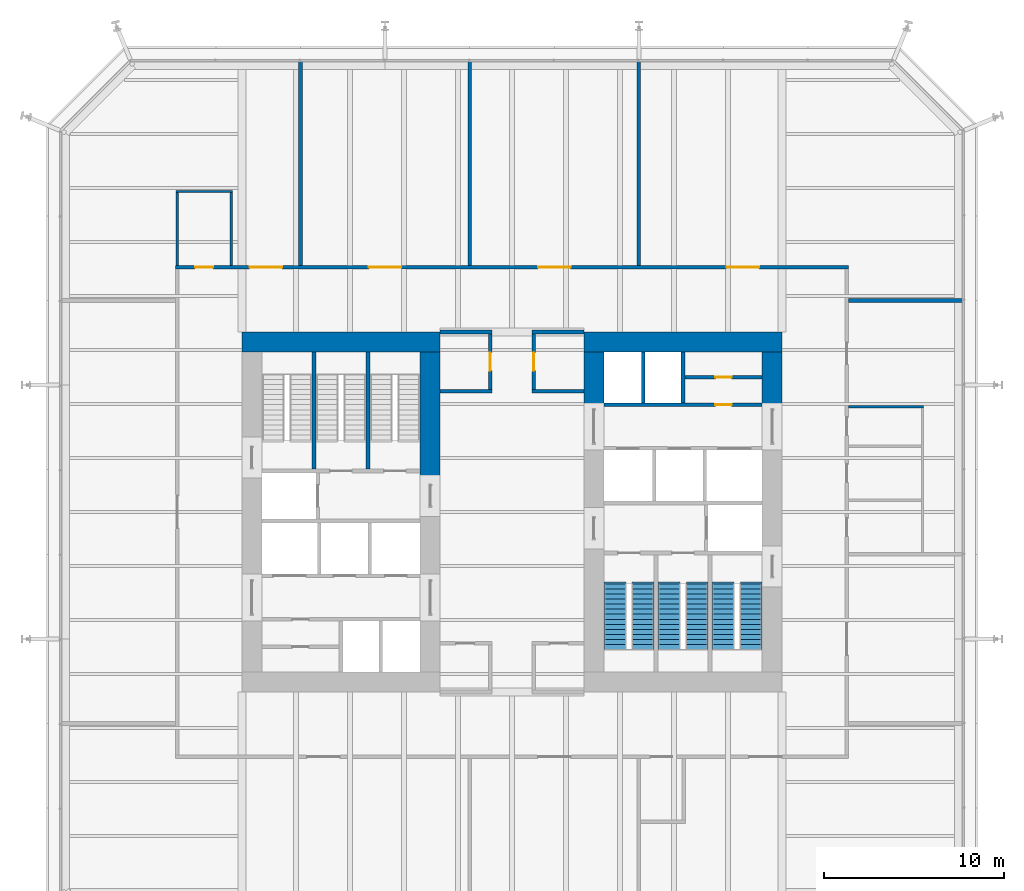
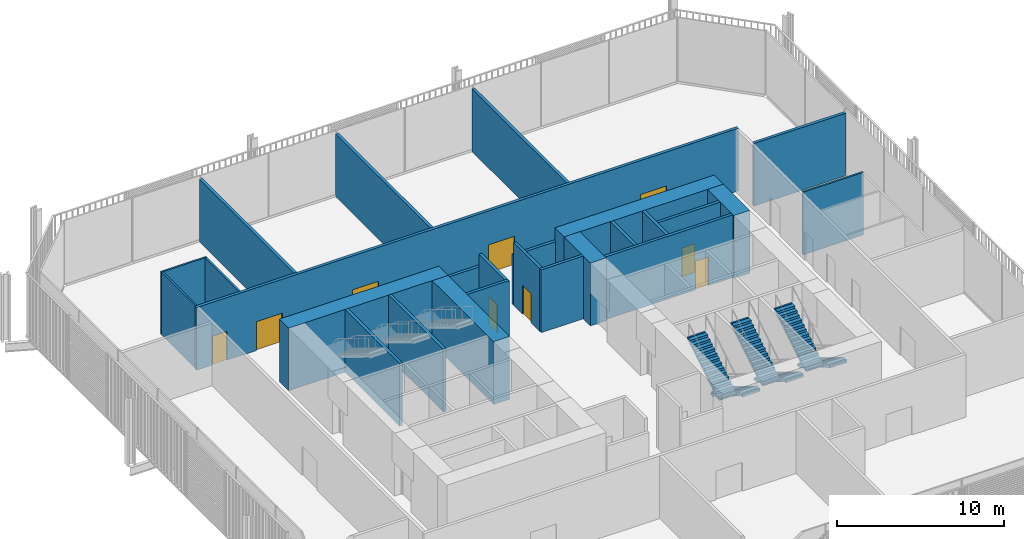
# One storey, part 20 of 22: 26 walls, 9 doors, 6 stair flights, 9 openings, 3 elements without a shape of their own.
"""IFC4 building model written with IfcOpenShell, lengths in metres."""

from ifc_helpers import new_model, si_unit, direction, frame, frame_2d, origin, place, context, subcontext, project, spatial, polyline, rectangle, outline, extrude, material, layer, layer_set, type_object, element, fill, aggregate, save


model = new_model("IFC4")

# Units and contexts
model_context = context("Model", 3, precision=1e-05, world=origin(), true_north=direction((0.0, 1.0)))
body_context = subcontext(model_context, "Body", "Model", "MODEL_VIEW")
ifc_project = project(units=[si_unit("LENGTHUNIT", "METRE"), si_unit("AREAUNIT", "SQUARE_METRE"), si_unit("VOLUMEUNIT", "CUBIC_METRE"), si_unit("PLANEANGLEUNIT", "RADIAN"), si_unit("MASSUNIT", "GRAM", prefix="KILO")], contexts=[model_context])

# Site, building, storey
site_placement = place(None, origin())
site = spatial("IfcSite", under=ifc_project, at=site_placement, CompositionType="ELEMENT")
building_placement = place(site_placement, origin())
building = spatial("IfcBuilding", under=site, at=building_placement, Name="Millrace Tower", CompositionType="ELEMENT")
storey_placement = place(building_placement, frame((0.0, 0.0, 40.10009765625)))
storey = spatial("IfcBuildingStorey", under=building, at=storey_placement, Name="L09", CompositionType="ELEMENT", Elevation=40.10009765625)

# Walls
ifc_material_1 = material(Name="Concrete C80", Category="concrete")
ifc_layer_1 = layer(ifc_material_1, 1.10009765625)
ifc_layer_set_1 = layer_set([ifc_layer_1], Name="Concrete C80")
wall_type_1 = type_object("IfcWallType", Name="Core wall 1100 Concrete C80", PredefinedType="SHEAR", material=ifc_layer_set_1)
wall_1_placement = place(storey_placement, frame((-15.0, 9.449951171875, 0.0), z_axis=(0.0, 0.0, 1.0), x_axis=(1.0, 0.0, 0.0)))
element("IfcWall", 1, at=wall_1_placement, inside=storey, type_object=wall_type_1, Name="Core wall W L09", PredefinedType="SHEAR", context=body_context, shape_type="SweptSolid", body=[
    extrude(rectangle(XDim=11.0, YDim=1.10009765625, at=frame_2d((5.5, 0.0))), origin(), (0.0, 0.0, 1.0), 4.574951171875),
])
wall_2_placement = place(storey_placement, frame((-4.550048828125, 1.550048828125, 0.0), z_axis=(0.0, 0.0, 1.0), x_axis=(0.0, 1.0, 0.0)))
element("IfcWall", 2, at=wall_2_placement, inside=storey, type_object=wall_type_1, Name="Core wall W L09", PredefinedType="SHEAR", context=body_context, shape_type="SweptSolid", body=[
    extrude(rectangle(XDim=7.349853515625, YDim=1.10009765625, at=frame_2d((3.6748046875, 0.0))), origin(), (0.0, 0.0, 1.0), 4.574951171875),
])
wall_3_placement = place(storey_placement, frame((15.0, 9.449951171875, 0.0), z_axis=(0.0, 0.0, 1.0), x_axis=(-1.0, 0.0, 0.0)))
element("IfcWall", 3, at=wall_3_placement, inside=storey, type_object=wall_type_1, Name="Core wall E L09", PredefinedType="SHEAR", context=body_context, shape_type="SweptSolid", body=[
    extrude(rectangle(XDim=11.0, YDim=1.10009765625, at=frame_2d((5.5, 0.0))), origin(), (0.0, 0.0, 1.0), 4.574951171875),
])
for number, where, z_axis, x_axis, name in (
    (4, (14.449951171875, 8.89990234375, 0.0), (0.0, 0.0, 1.0), (0.0, -1.0, 0.0), "Core wall E L09"),
    (5, (4.550048828125, 8.89990234375, 0.0), (0.0, 0.0, 1.0), (0.0, -1.0, 0.0), "Core wall E L09"),
):
    element("IfcWall", number, at=place(storey_placement, frame(where, z_axis=z_axis, x_axis=x_axis)), inside=storey, type_object=wall_type_1, Name=name, PredefinedType="SHEAR", context=body_context, shape_type="SweptSolid", body=[
        extrude(rectangle(XDim=3.14990234375, YDim=1.10009765625, at=frame_2d((1.574951171875, 0.0))), origin(), (0.0, 0.0, 1.0), 4.574951171875),
    ])
ifc_material_2 = material(Name="Masonry partition, fire-rated", Category="masonry")
ifc_layer_2 = layer(ifc_material_2, 0.199951171875)
ifc_layer_set_2 = layer_set([ifc_layer_2], Name="Masonry partition, fire-rated")
wall_type_2 = type_object("IfcWallType", Name="Corridor wall 200", PredefinedType="PARTITIONING", material=ifc_layer_set_2)
for number, where, z_axis, x_axis, name in (
    (6, (-4.0, 6.699951171875, 0.0), (0.0, 0.0, 1.0), (1.0, 0.0, 0.0), "Corridor wall L09"),
    (7, (1.10009765625, 6.699951171875, 0.0), (0.0, 0.0, 1.0), (1.0, 0.0, 0.0), "Corridor wall L09"),
):
    element("IfcWall", number, at=place(storey_placement, frame(where, z_axis=z_axis, x_axis=x_axis)), inside=storey, type_object=wall_type_2, Name=name, PredefinedType="PARTITIONING", context=body_context, shape_type="SweptSolid", body=[
        extrude(rectangle(XDim=2.89990234375, YDim=0.199951171875, at=frame_2d((1.449951171875, 0.0))), origin(), (0.0, 0.0, 1.0), 4.574951171875),
    ])
for number, where, z_axis, x_axis, name in (
    (8, (-4.0, 10.0, 0.0), (0.0, 0.0, 1.0), (1.0, 0.0, 0.0), "Corridor wall L09"),
    (9, (1.10009765625, 10.0, 0.0), (0.0, 0.0, 1.0), (1.0, 0.0, 0.0), "Corridor wall L09"),
):
    element("IfcWall", number, at=place(storey_placement, frame(where, z_axis=z_axis, x_axis=x_axis)), inside=storey, type_object=wall_type_2, Name=name, PredefinedType="PARTITIONING", context=body_context, shape_type="SweptSolid", body=[
        extrude(rectangle(XDim=2.89990234375, YDim=0.199951171875, at=frame_2d((1.449951171875, 0.0))), origin(), (0.0, 0.0, 1.0), 3.62744140625),
    ])
wall_4_placement = place(storey_placement, frame((18.699951171875, 11.75, 0.0), z_axis=(0.0, 0.0, 1.0), x_axis=(1.0, 0.0, 0.0)))
element("IfcWall", 10, at=wall_4_placement, inside=storey, type_object=wall_type_2, Name="Corridor wall L09", PredefinedType="PARTITIONING", context=body_context, shape_type="SweptSolid", body=[
    extrude(rectangle(XDim=6.330078125, YDim=0.199951171875, at=frame_2d((3.1650390625, 0.0))), origin(), (0.0, 0.0, 1.0), 4.574951171875),
])

# Wall, openings, doors
wall_5_placement = place(storey_placement, frame((-18.699951171875, 13.60009765625, 0.0), z_axis=(0.0, 0.0, 1.0), x_axis=(1.0, 0.0, 0.0)))
wall_5 = element("IfcWall", 11, at=wall_5_placement, inside=storey, type_object=wall_type_2, Name="Corridor wall L09", PredefinedType="PARTITIONING", context=body_context, shape_type="SweptSolid", body=[
    extrude(rectangle(XDim=37.39990234375, YDim=0.199951171875, at=frame_2d((18.699951171875, 0.0))), origin(), (0.0, 0.0, 1.0), 4.574951171875),
])
opening_1_placement = place(wall_5_placement, frame((4.125, 0.0, 0.0)))
opening_1 = element("IfcOpeningElement", 12, at=opening_1_placement, cuts=wall_5, Name="Opening 09-P009", PredefinedType="OPENING", context=body_context, shape_type="SweptSolid", body=[
    extrude(rectangle(XDim=1.800048828125, YDim=2.10009765625, at=frame_2d((0.89990234375, 1.050048828125))), frame((0.0, 0.10986328125, 0.0), z_axis=(0.0, -1.0, 0.0), x_axis=(1.0, 0.0, 0.0)), (0.0, 0.0, 1.0), 0.219970703125),
])
opening_2_placement = place(wall_5_placement, frame((1.10009765625, 0.0, 0.0)))
opening_2 = element("IfcOpeningElement", 13, at=opening_2_placement, cuts=wall_5, Name="Opening 09-P010", PredefinedType="OPENING", context=body_context, shape_type="SweptSolid", body=[
    extrude(rectangle(XDim=1.0, YDim=2.10009765625, at=frame_2d((0.5, 1.050048828125))), frame((0.0, 0.10986328125, 0.0), z_axis=(0.0, -1.0, 0.0), x_axis=(1.0, 0.0, 0.0)), (0.0, 0.0, 1.0), 0.219970703125),
])
opening_3_placement = place(wall_5_placement, frame((10.75, 0.0, 0.0)))
opening_3 = element("IfcOpeningElement", 14, at=opening_3_placement, cuts=wall_5, Name="Opening 09-P011", PredefinedType="OPENING", context=body_context, shape_type="SweptSolid", body=[
    extrude(rectangle(XDim=1.800048828125, YDim=2.10009765625, at=frame_2d((0.89990234375, 1.050048828125))), frame((0.0, 0.10986328125, 0.0), z_axis=(0.0, -1.0, 0.0), x_axis=(1.0, 0.0, 0.0)), (0.0, 0.0, 1.0), 0.219970703125),
])
opening_4_placement = place(wall_5_placement, frame((20.14990234375, 0.0, 0.0)))
opening_4 = element("IfcOpeningElement", 15, at=opening_4_placement, cuts=wall_5, Name="Opening 09-P012", PredefinedType="OPENING", context=body_context, shape_type="SweptSolid", body=[
    extrude(rectangle(XDim=1.800048828125, YDim=2.10009765625, at=frame_2d((0.89990234375, 1.050048828125))), frame((0.0, 0.10986328125, 0.0), z_axis=(0.0, -1.0, 0.0), x_axis=(1.0, 0.0, 0.0)), (0.0, 0.0, 1.0), 0.219970703125),
])
opening_5_placement = place(wall_5_placement, frame((30.625, 0.0, 0.0)))
opening_5 = element("IfcOpeningElement", 16, at=opening_5_placement, cuts=wall_5, Name="Opening 09-P013", PredefinedType="OPENING", context=body_context, shape_type="SweptSolid", body=[
    extrude(rectangle(XDim=1.800048828125, YDim=2.10009765625, at=frame_2d((0.89990234375, 1.050048828125))), frame((0.0, 0.10986328125, 0.0), z_axis=(0.0, -1.0, 0.0), x_axis=(1.0, 0.0, 0.0)), (0.0, 0.0, 1.0), 0.219970703125),
])
ifc_material_3 = material(Name="Steel door set, fire-rated", Category="steel")
door_type_1 = type_object("IfcDoorType", Name="Corridor door 1000 x 2100", OperationType="SINGLE_SWING_LEFT", PredefinedType="DOOR", material=ifc_material_3)
door_1_placement = place(opening_2_placement, origin())
door_1 = element("IfcDoor", 17, at=door_1_placement, inside=storey, type_object=door_type_1, Name="Door 09-P010", OperationType="SINGLE_SWING_LEFT", OverallHeight=2.10009765625, OverallWidth=1.0, PredefinedType="DOOR", context=body_context, shape_type="SweptSolid", body=[
    extrude(rectangle(XDim=1.0, YDim=2.10009765625, at=frame_2d((0.5, 1.050048828125))), frame((0.0, 0.02490234375, 0.0), z_axis=(0.0, -1.0, 0.0), x_axis=(1.0, 0.0, 0.0)), (0.0, 0.0, 1.0), 0.050048828125),
])
fill(opening_2, door_1)
ifc_material_4 = material(Name="Steel door set, fire-rated", Category="steel")
door_type_2 = type_object("IfcDoorType", Name="Corridor door 1800 x 2100", OperationType="DOUBLE_DOOR_SINGLE_SWING", PredefinedType="DOOR", material=ifc_material_4)
door_2_placement = place(opening_1_placement, origin())
door_2 = element("IfcDoor", 18, at=door_2_placement, inside=storey, type_object=door_type_2, Name="Door 09-P009", OperationType="DOUBLE_DOOR_SINGLE_SWING", OverallHeight=2.10009765625, OverallWidth=1.800048828125, PredefinedType="DOOR", context=body_context, shape_type="SweptSolid", body=[
    extrude(rectangle(XDim=1.800048828125, YDim=2.10009765625, at=frame_2d((0.89990234375, 1.050048828125))), frame((0.0, 0.02490234375, 0.0), z_axis=(0.0, -1.0, 0.0), x_axis=(1.0, 0.0, 0.0)), (0.0, 0.0, 1.0), 0.050048828125),
])
fill(opening_1, door_2)
ifc_material_5 = material(Name="Steel door set, fire-rated", Category="steel")
door_type_3 = type_object("IfcDoorType", Name="Data hall door 1800 x 2100", OperationType="DOUBLE_DOOR_SINGLE_SWING", PredefinedType="DOOR", material=ifc_material_5)
door_3_placement = place(opening_3_placement, origin())
door_3 = element("IfcDoor", 19, at=door_3_placement, inside=storey, type_object=door_type_3, Name="Door 09-P011", OperationType="DOUBLE_DOOR_SINGLE_SWING", OverallHeight=2.10009765625, OverallWidth=1.800048828125, PredefinedType="DOOR", context=body_context, shape_type="SweptSolid", body=[
    extrude(rectangle(XDim=1.800048828125, YDim=2.10009765625, at=frame_2d((0.89990234375, 1.050048828125))), frame((0.0, 0.02490234375, 0.0), z_axis=(0.0, -1.0, 0.0), x_axis=(1.0, 0.0, 0.0)), (0.0, 0.0, 1.0), 0.050048828125),
])
fill(opening_3, door_3)
door_4_placement = place(opening_4_placement, origin())
door_4 = element("IfcDoor", 20, at=door_4_placement, inside=storey, type_object=door_type_3, Name="Door 09-P012", OperationType="DOUBLE_DOOR_SINGLE_SWING", OverallHeight=2.10009765625, OverallWidth=1.800048828125, PredefinedType="DOOR", context=body_context, shape_type="SweptSolid", body=[
    extrude(rectangle(XDim=1.800048828125, YDim=2.10009765625, at=frame_2d((0.89990234375, 1.050048828125))), frame((0.0, 0.02490234375, 0.0), z_axis=(0.0, -1.0, 0.0), x_axis=(1.0, 0.0, 0.0)), (0.0, 0.0, 1.0), 0.050048828125),
])
fill(opening_4, door_4)
door_5_placement = place(opening_5_placement, origin())
door_5 = element("IfcDoor", 21, at=door_5_placement, inside=storey, type_object=door_type_3, Name="Door 09-P013", OperationType="DOUBLE_DOOR_SINGLE_SWING", OverallHeight=2.10009765625, OverallWidth=1.800048828125, PredefinedType="DOOR", context=body_context, shape_type="SweptSolid", body=[
    extrude(rectangle(XDim=1.800048828125, YDim=2.10009765625, at=frame_2d((0.89990234375, 1.050048828125))), frame((0.0, 0.02490234375, 0.0), z_axis=(0.0, -1.0, 0.0), x_axis=(1.0, 0.0, 0.0)), (0.0, 0.0, 1.0), 0.050048828125),
])
fill(opening_5, door_5)

# Wall
wall_6_placement = place(storey_placement, frame((7.050048828125, 13.699951171875, 0.0), z_axis=(0.0, 0.0, 1.0), x_axis=(0.0, 1.0, 0.0)))
element("IfcWall", 22, at=wall_6_placement, inside=storey, type_object=wall_type_2, Name="Corridor wall L09", PredefinedType="PARTITIONING", context=body_context, shape_type="SweptSolid", body=[
    extrude(rectangle(XDim=11.330078125, YDim=0.199951171875, at=frame_2d((5.6650390625, 0.0))), origin(), (0.0, 0.0, 1.0), 4.574951171875),
])

# Wall, opening, door
wall_7_placement = place(storey_placement, frame((1.199951171875, 6.800048828125, 0.0), z_axis=(0.0, 0.0, 1.0), x_axis=(0.0, 1.0, 0.0)))
wall_7 = element("IfcWall", 23, at=wall_7_placement, inside=storey, type_object=wall_type_2, Name="Corridor wall L09", PredefinedType="PARTITIONING", context=body_context, shape_type="SweptSolid", body=[
    extrude(rectangle(XDim=3.099853515625, YDim=0.199951171875, at=frame_2d((1.5498046875, 0.0))), origin(), (0.0, 0.0, 1.0), 4.574951171875),
])
opening_6_placement = place(wall_7_placement, frame((1.050048828125, 0.0, 0.0)))
opening_6 = element("IfcOpeningElement", 24, at=opening_6_placement, cuts=wall_7, Name="Opening 09-P002", PredefinedType="OPENING", context=body_context, shape_type="SweptSolid", body=[
    extrude(rectangle(XDim=1.0, YDim=2.10009765625, at=frame_2d((0.5, 1.050048828125))), frame((0.0, 0.10986328125, 0.0), z_axis=(0.0, -1.0, 0.0), x_axis=(1.0, 0.0, 0.0)), (0.0, 0.0, 1.0), 0.219970703125),
])
door_6_placement = place(opening_6_placement, frame((1.0, 0.0, 0.0), z_axis=(0.0, 0.0, 1.0), x_axis=(-1.0, 0.0, 0.0)))
door_6 = element("IfcDoor", 25, at=door_6_placement, inside=storey, type_object=door_type_1, Name="Door 09-P002", OperationType="SINGLE_SWING_LEFT", OverallHeight=2.10009765625, OverallWidth=1.0, PredefinedType="DOOR", context=body_context, shape_type="SweptSolid", body=[
    extrude(rectangle(XDim=1.0, YDim=2.10009765625, at=frame_2d((0.5, 1.050048828125))), frame((0.0, 0.02490234375, 0.0), z_axis=(0.0, -1.0, 0.0), x_axis=(1.0, 0.0, 0.0)), (0.0, 0.0, 1.0), 0.050048828125),
])
fill(opening_6, door_6)

wall_8_placement = place(storey_placement, frame((-1.199951171875, 6.800048828125, 0.0), z_axis=(0.0, 0.0, 1.0), x_axis=(0.0, 1.0, 0.0)))
wall_8 = element("IfcWall", 26, at=wall_8_placement, inside=storey, type_object=wall_type_2, Name="Corridor wall L09", PredefinedType="PARTITIONING", context=body_context, shape_type="SweptSolid", body=[
    extrude(rectangle(XDim=3.099853515625, YDim=0.199951171875, at=frame_2d((1.5498046875, 0.0))), origin(), (0.0, 0.0, 1.0), 4.574951171875),
])
opening_7_placement = place(wall_8_placement, frame((1.050048828125, 0.0, 0.0)))
opening_7 = element("IfcOpeningElement", 27, at=opening_7_placement, cuts=wall_8, Name="Opening 09-P001", PredefinedType="OPENING", context=body_context, shape_type="SweptSolid", body=[
    extrude(rectangle(XDim=1.0, YDim=2.10009765625, at=frame_2d((0.5, 1.050048828125))), frame((0.0, 0.10986328125, 0.0), z_axis=(0.0, -1.0, 0.0), x_axis=(1.0, 0.0, 0.0)), (0.0, 0.0, 1.0), 0.219970703125),
])
door_7_placement = place(opening_7_placement, origin())
door_7 = element("IfcDoor", 28, at=door_7_placement, inside=storey, type_object=door_type_1, Name="Door 09-P001", OperationType="SINGLE_SWING_RIGHT", OverallHeight=2.10009765625, OverallWidth=1.0, PredefinedType="DOOR", context=body_context, shape_type="SweptSolid", body=[
    extrude(rectangle(XDim=1.0, YDim=2.10009765625, at=frame_2d((0.5, 1.050048828125))), frame((0.0, 0.02490234375, 0.0), z_axis=(0.0, -1.0, 0.0), x_axis=(1.0, 0.0, 0.0)), (0.0, 0.0, 1.0), 0.050048828125),
])
fill(opening_7, door_7)

# Walls
for number, where, z_axis, x_axis, name in (
    (29, (-2.35009765625, 13.699951171875, 0.0), (0.0, 0.0, 1.0), (0.0, 1.0, 0.0), "Corridor wall L09"),
    (30, (-11.75, 13.699951171875, 0.0), (0.0, 0.0, 1.0), (0.0, 1.0, 0.0), "Corridor wall L09"),
):
    element("IfcWall", number, at=place(storey_placement, frame(where, z_axis=z_axis, x_axis=x_axis)), inside=storey, type_object=wall_type_2, Name=name, PredefinedType="PARTITIONING", context=body_context, shape_type="SweptSolid", body=[
        extrude(rectangle(XDim=11.330078125, YDim=0.199951171875, at=frame_2d((5.6650390625, 0.0))), origin(), (0.0, 0.0, 1.0), 4.574951171875),
    ])

# Wall, opening, door
ifc_material_6 = material(Name="Masonry partition, fire-rated", Category="masonry")
ifc_layer_3 = layer(ifc_material_6, 0.199951171875)
ifc_layer_set_3 = layer_set([ifc_layer_3], Name="Masonry partition, fire-rated")
wall_type_3 = type_object("IfcWallType", Name="Lift shaft wall 200", PredefinedType="PARTITIONING", material=ifc_layer_set_3)
wall_9_placement = place(storey_placement, frame((13.89990234375, 5.949951171875, 0.0), z_axis=(0.0, 0.0, 1.0), x_axis=(-1.0, 0.0, 0.0)))
wall_9 = element("IfcWall", 31, at=wall_9_placement, inside=storey, type_object=wall_type_3, Name="Lift shaft wall E L09", PredefinedType="PARTITIONING", context=body_context, shape_type="SweptSolid", body=[
    extrude(rectangle(XDim=8.7998046875, YDim=0.199951171875, at=frame_2d((4.39990234375, 0.0))), origin(), (0.0, 0.0, 1.0), 4.574951171875),
])
opening_8_placement = place(wall_9_placement, frame((1.699951171875, 0.0, 0.0)))
opening_8 = element("IfcOpeningElement", 32, at=opening_8_placement, cuts=wall_9, Name="Opening 09-C013", PredefinedType="OPENING", context=body_context, shape_type="SweptSolid", body=[
    extrude(rectangle(XDim=0.89990234375, YDim=2.10009765625, at=frame_2d((0.449951171875, 1.050048828125))), frame((0.0, 0.10986328125, 0.0), z_axis=(0.0, -1.0, 0.0), x_axis=(1.0, 0.0, 0.0)), (0.0, 0.0, 1.0), 0.219970703125),
])
ifc_material_7 = material(Name="Steel door, fire-rated", Category="steel")
door_type_4 = type_object("IfcDoorType", Name="Service room door 900 x 2100", OperationType="SINGLE_SWING_LEFT", PredefinedType="DOOR", material=ifc_material_7)
door_8_placement = place(opening_8_placement, origin())
door_8 = element("IfcDoor", 33, at=door_8_placement, inside=storey, type_object=door_type_4, Name="Service room door 09-C013", OperationType="SINGLE_SWING_LEFT", OverallHeight=2.10009765625, OverallWidth=0.89990234375, PredefinedType="DOOR", context=body_context, shape_type="SweptSolid", body=[
    extrude(rectangle(XDim=0.89990234375, YDim=2.10009765625, at=frame_2d((0.449951171875, 1.050048828125))), frame((0.0, 0.02490234375, 0.0), z_axis=(0.0, -1.0, 0.0), x_axis=(1.0, 0.0, 0.0)), (0.0, 0.0, 1.0), 0.050048828125),
])
fill(opening_8, door_8)

# Walls
for number, where, z_axis, x_axis, name in (
    (34, (9.5, 8.89990234375, 0.0), (0.0, 0.0, 1.0), (0.0, -1.0, 0.0), "Lift shaft wall E L09"),
    (35, (7.300048828125, 8.89990234375, 0.0), (0.0, 0.0, 1.0), (0.0, -1.0, 0.0), "Lift shaft wall E L09"),
):
    element("IfcWall", number, at=place(storey_placement, frame(where, z_axis=z_axis, x_axis=x_axis)), inside=storey, type_object=wall_type_3, Name=name, PredefinedType="PARTITIONING", context=body_context, shape_type="SweptSolid", body=[
        extrude(rectangle(XDim=2.849853515625, YDim=0.199951171875, at=frame_2d((1.4248046875, 0.0))), origin(), (0.0, 0.0, 1.0), 4.574951171875),
    ])
ifc_material_8 = material(Name="Gypsum board partition")
ifc_layer_4 = layer(ifc_material_8, 0.1201171875)
ifc_layer_set_4 = layer_set([ifc_layer_4], Name="Gypsum board partition")
wall_type_4 = type_object("IfcWallType", Name="Partition wall 120", PredefinedType="PARTITIONING", material=ifc_layer_set_4)
wall_10_placement = place(storey_placement, frame((18.699951171875, 5.85009765625, 0.0), z_axis=(0.0, 0.0, 1.0), x_axis=(1.0, 0.0, 0.0)))
element("IfcWall", 36, at=wall_10_placement, inside=storey, type_object=wall_type_4, Name="Partition wall L09", PredefinedType="PARTITIONING", context=body_context, shape_type="SweptSolid", body=[
    extrude(rectangle(XDim=4.16015625, YDim=0.1201171875, at=frame_2d((2.080078125, 0.0))), origin(), (0.0, 0.0, 1.0), 4.574951171875),
])
wall_11_placement = place(storey_placement, frame((-18.659912109375, 17.800048828125, 0.0), z_axis=(0.0, 0.0, 1.0), x_axis=(1.0, 0.0, 0.0)))
element("IfcWall", 37, at=wall_11_placement, inside=storey, type_object=wall_type_4, Name="Partition wall L09", PredefinedType="PARTITIONING", context=body_context, shape_type="SweptSolid", body=[
    extrude(rectangle(XDim=3.119873046875, YDim=0.1201171875, at=frame_2d((1.56005859375, 0.0))), origin(), (0.0, 0.0, 1.0), 4.574951171875),
])
for number, where, z_axis, x_axis, name in (
    (38, (-15.60009765625, 13.699951171875, 0.0), (0.0, 0.0, 1.0), (0.0, 1.0, 0.0), "Partition wall L09"),
    (39, (-18.60009765625, 13.699951171875, 0.0), (0.0, 0.0, 1.0), (0.0, 1.0, 0.0), "Partition wall L09"),
):
    element("IfcWall", number, at=place(storey_placement, frame(where, z_axis=z_axis, x_axis=x_axis)), inside=storey, type_object=wall_type_4, Name=name, PredefinedType="PARTITIONING", context=body_context, shape_type="SweptSolid", body=[
        extrude(rectangle(XDim=4.0400390625, YDim=0.1201171875, at=frame_2d((2.02001953125, 0.0))), origin(), (0.0, 0.0, 1.0), 4.574951171875),
    ])

# Wall, opening, door
ifc_material_9 = material(Name="Masonry partition, fire-rated", Category="masonry")
ifc_layer_5 = layer(ifc_material_9, 0.199951171875)
ifc_layer_set_5 = layer_set([ifc_layer_5], Name="Masonry partition, fire-rated")
wall_type_5 = type_object("IfcWallType", Name="Room partition 200", PredefinedType="PARTITIONING", material=ifc_layer_set_5)
wall_12_placement = place(storey_placement, frame((13.89990234375, 7.47509765625, 0.0), z_axis=(0.0, 0.0, 1.0), x_axis=(-1.0, 0.0, 0.0)))
wall_12 = element("IfcWall", 40, at=wall_12_placement, inside=storey, type_object=wall_type_5, Name="Room partition E L09", PredefinedType="PARTITIONING", context=body_context, shape_type="SweptSolid", body=[
    extrude(rectangle(XDim=4.2998046875, YDim=0.199951171875, at=frame_2d((2.14990234375, 0.0))), origin(), (0.0, 0.0, 1.0), 4.574951171875),
])
opening_9_placement = place(wall_12_placement, frame((1.699951171875, 0.0, 0.0)))
opening_9 = element("IfcOpeningElement", 41, at=opening_9_placement, cuts=wall_12, Name="Opening 09-C014", PredefinedType="OPENING", context=body_context, shape_type="SweptSolid", body=[
    extrude(rectangle(XDim=0.89990234375, YDim=2.10009765625, at=frame_2d((0.449951171875, 1.050048828125))), frame((0.0, 0.10986328125, 0.0), z_axis=(0.0, -1.0, 0.0), x_axis=(1.0, 0.0, 0.0)), (0.0, 0.0, 1.0), 0.219970703125),
])
door_9_placement = place(opening_9_placement, frame((0.89990234375, 0.0, 0.0), z_axis=(0.0, 0.0, 1.0), x_axis=(-1.0, 0.0, 0.0)))
door_9 = element("IfcDoor", 42, at=door_9_placement, inside=storey, type_object=door_type_4, Name="Service room door 09-C014", OperationType="SINGLE_SWING_RIGHT", OverallHeight=2.10009765625, OverallWidth=0.89990234375, PredefinedType="DOOR", context=body_context, shape_type="SweptSolid", body=[
    extrude(rectangle(XDim=0.89990234375, YDim=2.10009765625, at=frame_2d((0.449951171875, 1.050048828125))), frame((0.0, 0.02490234375, 0.0), z_axis=(0.0, -1.0, 0.0), x_axis=(1.0, 0.0, 0.0)), (0.0, 0.0, 1.0), 0.050048828125),
])
fill(opening_9, door_9)

# Walls
ifc_material_10 = material(Name="Concrete C40", Category="concrete")
ifc_layer_6 = layer(ifc_material_10, 0.199951171875)
ifc_layer_set_6 = layer_set([ifc_layer_6], Name="Concrete C40")
wall_type_6 = type_object("IfcWallType", Name="Stair enclosure wall 200 Concrete C40", PredefinedType="SHEAR", material=ifc_layer_set_6)
for number, where, z_axis, x_axis, name in (
    (43, (-11.0, 2.3798828125, 0.0), (0.0, 0.0, 1.0), (0.0, 1.0, 0.0), "Stair enclosure wall W L09"),
    (44, (-8.0, 2.3798828125, 0.0), (0.0, 0.0, 1.0), (0.0, 1.0, 0.0), "Stair enclosure wall W L09"),
):
    element("IfcWall", number, at=place(storey_placement, frame(where, z_axis=z_axis, x_axis=x_axis)), inside=storey, type_object=wall_type_6, Name=name, PredefinedType="SHEAR", context=body_context, shape_type="SweptSolid", body=[
        extrude(rectangle(XDim=6.52001953125, YDim=0.199951171875, at=frame_2d((3.260009765625, 0.0))), origin(), (0.0, 0.0, 1.0), 4.574951171875),
    ])

# Stair, stair flights
ifc_material_11 = material(Name="Concrete C35", Category="concrete")
stair_type = type_object("IfcStairType", Name="Exit stair", PredefinedType="HALF_TURN_STAIR", material=ifc_material_11)
placement = place(storey_placement, origin())
stair_1 = element("IfcStair", 45, at=placement, inside=storey, type_object=stair_type, Name="Stair 1 E L09", PredefinedType="HALF_TURN_STAIR")
ifc_material_12 = material(Name="Concrete C35", Category="concrete")
stair_flight_type = type_object("IfcStairFlightType", Name="Exit stair flight", PredefinedType="STRAIGHT", material=ifc_material_12)
stair_flight_1_placement = place(storey_placement, frame((13.2900390625, -4.0, 0.0), z_axis=(0.0, 0.0, 1.0), x_axis=(0.0, -1.0, 0.0)))
stair_flight_1 = element("IfcStairFlight", 46, at=stair_flight_1_placement, type_object=stair_flight_type, Name="ST12 flight 1", NumberOfRisers=14, NumberOfTreads=13, PredefinedType="STRAIGHT", RiserHeight=0.171428571, TreadLength=0.28, context=body_context, shape_type="SweptSolid", body=[
    extrude(outline(polyline([(-0.1201171875, -0.0400390625), (-0.1201171875, 0.0), (0.0, 0.0), (0.0, 0.17138671875), (0.280029296875, 0.17138671875), (0.280029296875, 0.3427734375), (0.56005859375, 0.3427734375), (0.56005859375, 0.514404296875), (0.840087890625, 0.514404296875), (0.840087890625, 0.685791015625), (1.1201171875, 0.685791015625), (1.1201171875, 0.857177734375), (1.39990234375, 0.857177734375), (1.39990234375, 1.028564453125), (1.679931640625, 1.028564453125), (1.679931640625, 1.199951171875), (1.9599609375, 1.199951171875), (1.9599609375, 1.371337890625), (2.239990234375, 1.371337890625), (2.239990234375, 1.54296875), (2.52001953125, 1.54296875), (2.52001953125, 1.71435546875), (2.800048828125, 1.71435546875), (2.800048828125, 1.8857421875), (3.080078125, 1.8857421875), (3.080078125, 2.05712890625), (3.360107421875, 2.05712890625), (3.360107421875, 2.228515625), (3.639892578125, 2.228515625), (3.639892578125, 2.24853515625), (3.760009765625, 2.24853515625), (3.760009765625, 2.052734375), (3.639892578125, 2.052734375), (0.287109375, 0.0), (0.287109375, -0.0400390625), (-0.1201171875, -0.0400390625)])), frame((0.0, 0.60986328125, 0.0), z_axis=(0.0, -1.0, 0.0), x_axis=(1.0, 0.0, 0.0)), (0.0, 0.0, 1.0), 1.219970703125),
])
stair_flight_2_placement = place(storey_placement, frame((11.7099609375, -7.639892578125, 2.39990234375), z_axis=(0.0, 0.0, 1.0), x_axis=(0.0, 1.0, 0.0)))
stair_flight_2 = element("IfcStairFlight", 47, at=stair_flight_2_placement, type_object=stair_flight_type, Name="ST12 flight 2", NumberOfRisers=14, NumberOfTreads=13, PredefinedType="STRAIGHT", RiserHeight=0.171428571, TreadLength=0.28, context=body_context, shape_type="SweptSolid", body=[
    extrude(outline(polyline([(-0.1201171875, -0.0400390625), (-0.1201171875, 0.0), (0.0, 0.0), (0.0, 0.17138671875), (0.280029296875, 0.17138671875), (0.280029296875, 0.3427734375), (0.56005859375, 0.3427734375), (0.56005859375, 0.514404296875), (0.840087890625, 0.514404296875), (0.840087890625, 0.685791015625), (1.1201171875, 0.685791015625), (1.1201171875, 0.857177734375), (1.39990234375, 0.857177734375), (1.39990234375, 1.028564453125), (1.679931640625, 1.028564453125), (1.679931640625, 1.199951171875), (1.9599609375, 1.199951171875), (1.9599609375, 1.371337890625), (2.239990234375, 1.371337890625), (2.239990234375, 1.54296875), (2.52001953125, 1.54296875), (2.52001953125, 1.71435546875), (2.800048828125, 1.71435546875), (2.800048828125, 1.8857421875), (3.080078125, 1.8857421875), (3.080078125, 2.05712890625), (3.360107421875, 2.05712890625), (3.360107421875, 2.228515625), (3.639892578125, 2.228515625), (3.639892578125, 2.24853515625), (3.760009765625, 2.24853515625), (3.760009765625, 2.052734375), (3.639892578125, 2.052734375), (0.287109375, 0.0), (0.287109375, -0.0400390625), (-0.1201171875, -0.0400390625)])), frame((0.0, 0.60986328125, 0.0), z_axis=(0.0, -1.0, 0.0), x_axis=(1.0, 0.0, 0.0)), (0.0, 0.0, 1.0), 1.219970703125),
])
aggregate(stair_1, [stair_flight_1, stair_flight_2])

stair_2 = element("IfcStair", 48, at=placement, inside=storey, type_object=stair_type, Name="Stair 2 E L09", PredefinedType="HALF_TURN_STAIR")
stair_flight_3_placement = place(storey_placement, frame((10.2900390625, -4.0, 0.0), z_axis=(0.0, 0.0, 1.0), x_axis=(0.0, -1.0, 0.0)))
stair_flight_3 = element("IfcStairFlight", 49, at=stair_flight_3_placement, type_object=stair_flight_type, Name="ST12 flight 1", NumberOfRisers=14, NumberOfTreads=13, PredefinedType="STRAIGHT", RiserHeight=0.171428571, TreadLength=0.28, context=body_context, shape_type="SweptSolid", body=[
    extrude(outline(polyline([(-0.1201171875, -0.0400390625), (-0.1201171875, 0.0), (0.0, 0.0), (0.0, 0.17138671875), (0.280029296875, 0.17138671875), (0.280029296875, 0.3427734375), (0.56005859375, 0.3427734375), (0.56005859375, 0.514404296875), (0.840087890625, 0.514404296875), (0.840087890625, 0.685791015625), (1.1201171875, 0.685791015625), (1.1201171875, 0.857177734375), (1.39990234375, 0.857177734375), (1.39990234375, 1.028564453125), (1.679931640625, 1.028564453125), (1.679931640625, 1.199951171875), (1.9599609375, 1.199951171875), (1.9599609375, 1.371337890625), (2.239990234375, 1.371337890625), (2.239990234375, 1.54296875), (2.52001953125, 1.54296875), (2.52001953125, 1.71435546875), (2.800048828125, 1.71435546875), (2.800048828125, 1.8857421875), (3.080078125, 1.8857421875), (3.080078125, 2.05712890625), (3.360107421875, 2.05712890625), (3.360107421875, 2.228515625), (3.639892578125, 2.228515625), (3.639892578125, 2.24853515625), (3.760009765625, 2.24853515625), (3.760009765625, 2.052734375), (3.639892578125, 2.052734375), (0.287109375, 0.0), (0.287109375, -0.0400390625), (-0.1201171875, -0.0400390625)])), frame((0.0, 0.60986328125, 0.0), z_axis=(0.0, -1.0, 0.0), x_axis=(1.0, 0.0, 0.0)), (0.0, 0.0, 1.0), 1.219970703125),
])
stair_flight_4_placement = place(storey_placement, frame((8.7099609375, -7.639892578125, 2.39990234375), z_axis=(0.0, 0.0, 1.0), x_axis=(0.0, 1.0, 0.0)))
stair_flight_4 = element("IfcStairFlight", 50, at=stair_flight_4_placement, type_object=stair_flight_type, Name="ST12 flight 2", NumberOfRisers=14, NumberOfTreads=13, PredefinedType="STRAIGHT", RiserHeight=0.171428571, TreadLength=0.28, context=body_context, shape_type="SweptSolid", body=[
    extrude(outline(polyline([(-0.1201171875, -0.0400390625), (-0.1201171875, 0.0), (0.0, 0.0), (0.0, 0.17138671875), (0.280029296875, 0.17138671875), (0.280029296875, 0.3427734375), (0.56005859375, 0.3427734375), (0.56005859375, 0.514404296875), (0.840087890625, 0.514404296875), (0.840087890625, 0.685791015625), (1.1201171875, 0.685791015625), (1.1201171875, 0.857177734375), (1.39990234375, 0.857177734375), (1.39990234375, 1.028564453125), (1.679931640625, 1.028564453125), (1.679931640625, 1.199951171875), (1.9599609375, 1.199951171875), (1.9599609375, 1.371337890625), (2.239990234375, 1.371337890625), (2.239990234375, 1.54296875), (2.52001953125, 1.54296875), (2.52001953125, 1.71435546875), (2.800048828125, 1.71435546875), (2.800048828125, 1.8857421875), (3.080078125, 1.8857421875), (3.080078125, 2.05712890625), (3.360107421875, 2.05712890625), (3.360107421875, 2.228515625), (3.639892578125, 2.228515625), (3.639892578125, 2.24853515625), (3.760009765625, 2.24853515625), (3.760009765625, 2.052734375), (3.639892578125, 2.052734375), (0.287109375, 0.0), (0.287109375, -0.0400390625), (-0.1201171875, -0.0400390625)])), frame((0.0, 0.60986328125, 0.0), z_axis=(0.0, -1.0, 0.0), x_axis=(1.0, 0.0, 0.0)), (0.0, 0.0, 1.0), 1.219970703125),
])
aggregate(stair_2, [stair_flight_3, stair_flight_4])

stair_3 = element("IfcStair", 51, at=placement, inside=storey, type_object=stair_type, Name="Stair 3 E L09", PredefinedType="HALF_TURN_STAIR")
stair_flight_5_placement = place(storey_placement, frame((7.2900390625, -4.0, 0.0), z_axis=(0.0, 0.0, 1.0), x_axis=(0.0, -1.0, 0.0)))
stair_flight_5 = element("IfcStairFlight", 52, at=stair_flight_5_placement, type_object=stair_flight_type, Name="ST12 flight 1", NumberOfRisers=14, NumberOfTreads=13, PredefinedType="STRAIGHT", RiserHeight=0.171428571, TreadLength=0.28, context=body_context, shape_type="SweptSolid", body=[
    extrude(outline(polyline([(-0.1201171875, -0.0400390625), (-0.1201171875, 0.0), (0.0, 0.0), (0.0, 0.17138671875), (0.280029296875, 0.17138671875), (0.280029296875, 0.3427734375), (0.56005859375, 0.3427734375), (0.56005859375, 0.514404296875), (0.840087890625, 0.514404296875), (0.840087890625, 0.685791015625), (1.1201171875, 0.685791015625), (1.1201171875, 0.857177734375), (1.39990234375, 0.857177734375), (1.39990234375, 1.028564453125), (1.679931640625, 1.028564453125), (1.679931640625, 1.199951171875), (1.9599609375, 1.199951171875), (1.9599609375, 1.371337890625), (2.239990234375, 1.371337890625), (2.239990234375, 1.54296875), (2.52001953125, 1.54296875), (2.52001953125, 1.71435546875), (2.800048828125, 1.71435546875), (2.800048828125, 1.8857421875), (3.080078125, 1.8857421875), (3.080078125, 2.05712890625), (3.360107421875, 2.05712890625), (3.360107421875, 2.228515625), (3.639892578125, 2.228515625), (3.639892578125, 2.24853515625), (3.760009765625, 2.24853515625), (3.760009765625, 2.052734375), (3.639892578125, 2.052734375), (0.287109375, 0.0), (0.287109375, -0.0400390625), (-0.1201171875, -0.0400390625)])), frame((0.0, 0.60986328125, 0.0), z_axis=(0.0, -1.0, 0.0), x_axis=(1.0, 0.0, 0.0)), (0.0, 0.0, 1.0), 1.219970703125),
])
stair_flight_6_placement = place(storey_placement, frame((5.7099609375, -7.639892578125, 2.39990234375), z_axis=(0.0, 0.0, 1.0), x_axis=(0.0, 1.0, 0.0)))
stair_flight_6 = element("IfcStairFlight", 53, at=stair_flight_6_placement, type_object=stair_flight_type, Name="ST12 flight 2", NumberOfRisers=14, NumberOfTreads=13, PredefinedType="STRAIGHT", RiserHeight=0.171428571, TreadLength=0.28, context=body_context, shape_type="SweptSolid", body=[
    extrude(outline(polyline([(-0.1201171875, -0.0400390625), (-0.1201171875, 0.0), (0.0, 0.0), (0.0, 0.17138671875), (0.280029296875, 0.17138671875), (0.280029296875, 0.3427734375), (0.56005859375, 0.3427734375), (0.56005859375, 0.514404296875), (0.840087890625, 0.514404296875), (0.840087890625, 0.685791015625), (1.1201171875, 0.685791015625), (1.1201171875, 0.857177734375), (1.39990234375, 0.857177734375), (1.39990234375, 1.028564453125), (1.679931640625, 1.028564453125), (1.679931640625, 1.199951171875), (1.9599609375, 1.199951171875), (1.9599609375, 1.371337890625), (2.239990234375, 1.371337890625), (2.239990234375, 1.54296875), (2.52001953125, 1.54296875), (2.52001953125, 1.71435546875), (2.800048828125, 1.71435546875), (2.800048828125, 1.8857421875), (3.080078125, 1.8857421875), (3.080078125, 2.05712890625), (3.360107421875, 2.05712890625), (3.360107421875, 2.228515625), (3.639892578125, 2.228515625), (3.639892578125, 2.24853515625), (3.760009765625, 2.24853515625), (3.760009765625, 2.052734375), (3.639892578125, 2.052734375), (0.287109375, 0.0), (0.287109375, -0.0400390625), (-0.1201171875, -0.0400390625)])), frame((0.0, 0.60986328125, 0.0), z_axis=(0.0, -1.0, 0.0), x_axis=(1.0, 0.0, 0.0)), (0.0, 0.0, 1.0), 1.219970703125),
])
aggregate(stair_3, [stair_flight_5, stair_flight_6])

save(model, "model.ifc")
